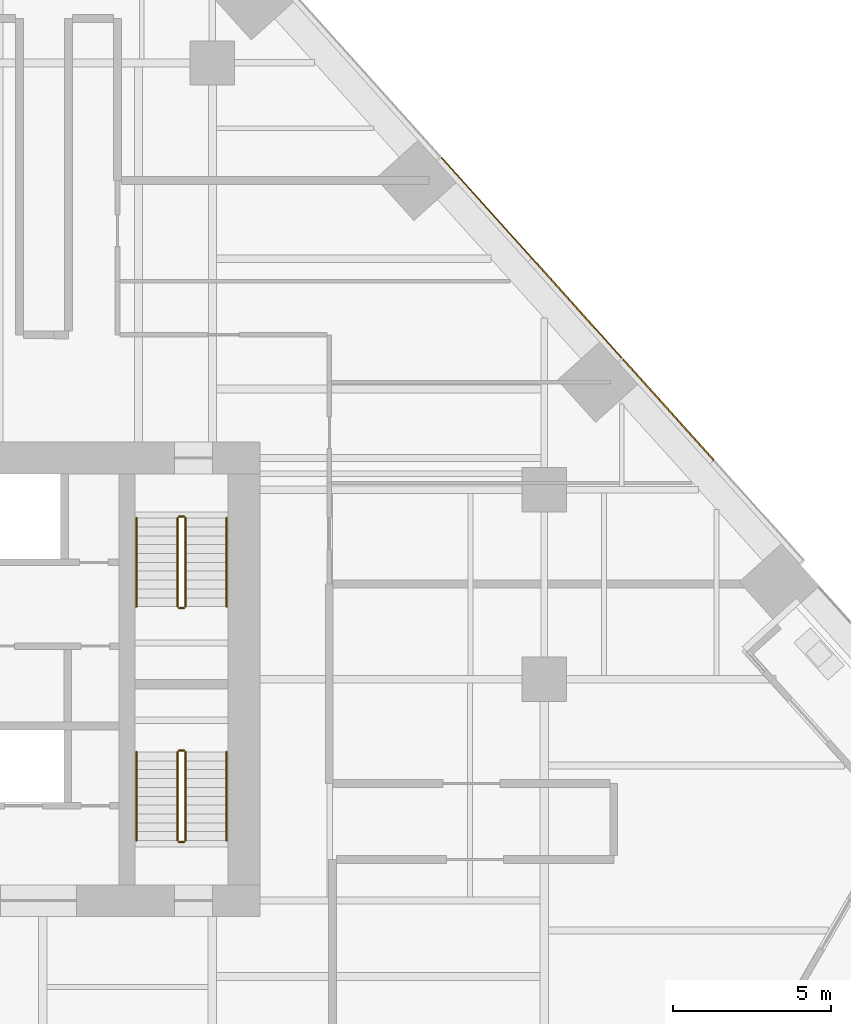
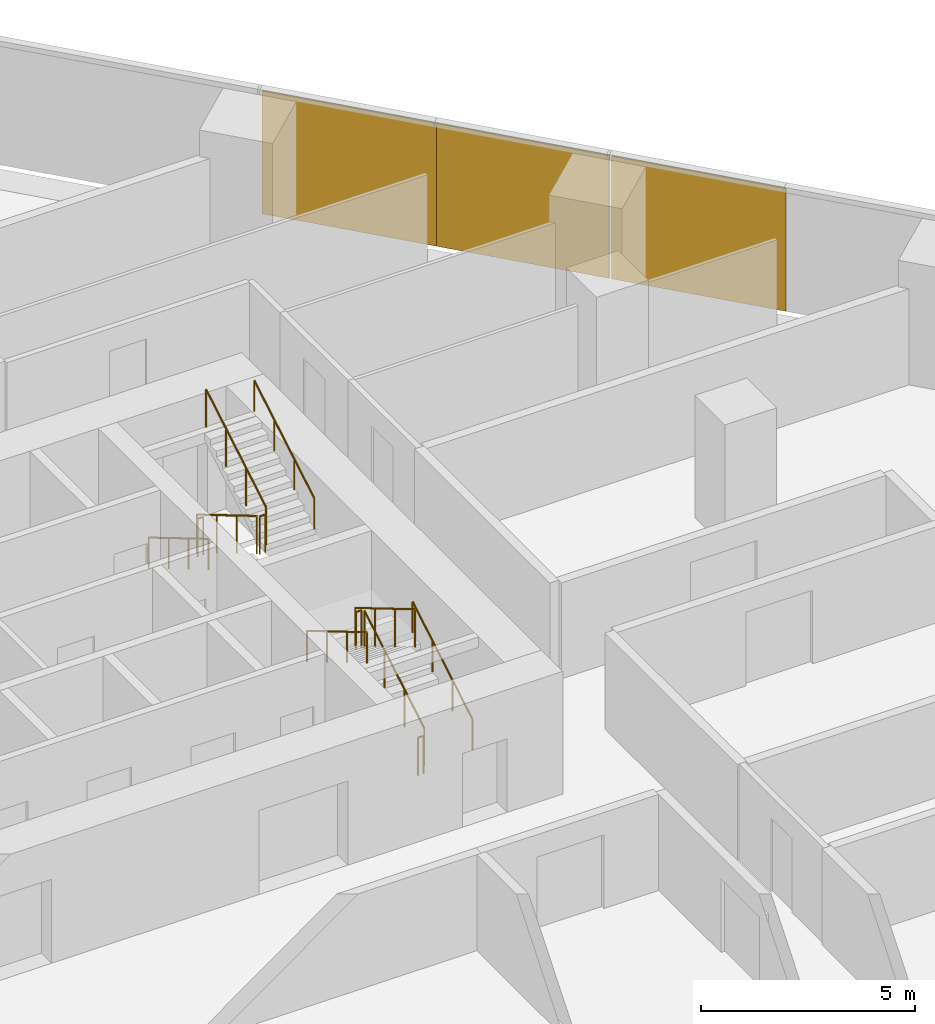
# One storey, part 29 of 31: 12 railings, 3 coverings, 1 element without a shape of its own.
"""IFC4 building model written with IfcOpenShell, lengths in metres."""

from ifc_helpers import new_model, si_unit, direction, frame, origin, origin_2d, place, context, subcontext, project, spatial, rectangle, circle, extrude, material, layer, layer_set, type_object, element, aggregate, save


model = new_model("IFC4")

# Units and contexts
model_context = context("Model", 3, precision=1e-05, world=origin(), true_north=direction((0.0, 1.0)))
body_context = subcontext(model_context, "Body", "Model", "MODEL_VIEW")
ifc_project = project(units=[si_unit("LENGTHUNIT", "METRE"), si_unit("AREAUNIT", "SQUARE_METRE"), si_unit("VOLUMEUNIT", "CUBIC_METRE"), si_unit("PLANEANGLEUNIT", "RADIAN"), si_unit("MASSUNIT", "GRAM", prefix="KILO")], contexts=[model_context])

# Site, building, storey
site_placement = place(None, origin())
site = spatial("IfcSite", under=ifc_project, at=site_placement, CompositionType="ELEMENT")
building_placement = place(site_placement, origin())
building = spatial("IfcBuilding", under=site, at=building_placement, Name="Isthmus Gate Tower", CompositionType="ELEMENT")
storey_placement = place(building_placement, frame((0.0, 0.0, 54.25)))
storey = spatial("IfcBuildingStorey", under=building, at=storey_placement, Name="L11", CompositionType="ELEMENT", Elevation=54.25)

# Curtain wall, coverings
ifc_material_1 = material(Name="Aluminium, pale champagne anodised", Category="aluminium")
ifc_layer_1 = layer(ifc_material_1, 0.199951171875)
ifc_layer_set_1 = layer_set([ifc_layer_1], Name="CW-1 UNITISED CURTAIN WALL 200 DEEP")
curtain_wall_type = type_object("IfcCurtainWallType", Name="CW-1 UNITISED CURTAIN WALL 200 DEEP", PredefinedType="NOTDEFINED", material=ifc_layer_set_1)
curtain_wall_placement = place(storey_placement, origin())
curtain_wall = element("IfcCurtainWall", 1, at=curtain_wall_placement, inside=storey, type_object=curtain_wall_type, Name="CW-1 NE L11", PredefinedType="NOTDEFINED")
ifc_material_2 = material(Name="Aluminium composite panel, pale champagne anodised", Category="aluminium")
ifc_layer_2 = layer(ifc_material_2, 0.0400390625)
ifc_layer_set_2 = layer_set([ifc_layer_2], Name="CW-1 PALE METAL PANEL 40")
covering_type = type_object("IfcCoveringType", Name="CW-1 PALE METAL PANEL 40", PredefinedType="CLADDING", material=ifc_layer_set_2)
covering_1_placement = place(storey_placement, frame((27.930419921875, 16.02734375, 0.0), z_axis=(0.0, 0.0, 1.0), x_axis=(-0.669130606359, 0.743144825477, 0.0)))
covering_1 = element("IfcCovering", 2, at=covering_1_placement, type_object=covering_type, Name="CW-1 pale metal panel", PredefinedType="CLADDING", context=body_context, shape_type="SweptSolid", body=[
    extrude(rectangle(XDim=4.294677734375, YDim=0.0400390625, at=origin_2d()), origin(), (0.0, 0.0, 1.0), 3.5),
])
covering_2_placement = place(storey_placement, frame((25.03662109375, 19.2412109375, 0.0), z_axis=(0.0, 0.0, 1.0), x_axis=(-0.669130606359, 0.743144825477, 0.0)))
covering_2 = element("IfcCovering", 3, at=covering_2_placement, type_object=covering_type, Name="CW-1 pale metal panel", PredefinedType="CLADDING", context=body_context, shape_type="SweptSolid", body=[
    extrude(rectangle(XDim=4.234619140625, YDim=0.0400390625, at=origin_2d()), origin(), (0.0, 0.0, 1.0), 3.5),
])
covering_3_placement = place(storey_placement, frame((22.18310546875, 22.410400390625, 0.0), z_axis=(0.0, 0.0, 1.0), x_axis=(-0.669130606359, 0.743144825477, 0.0)))
covering_3 = element("IfcCovering", 4, at=covering_3_placement, type_object=covering_type, Name="CW-1 pale metal panel", PredefinedType="CLADDING", context=body_context, shape_type="SweptSolid", body=[
    extrude(rectangle(XDim=4.294677734375, YDim=0.0400390625, at=origin_2d()), origin(), (0.0, 0.0, 1.0), 3.5),
])
aggregate(curtain_wall, [covering_1, covering_2, covering_3])

# Railings
ifc_material_3 = material(Name="Stainless steel balustrade", Category="steel")
railing_type_1 = type_object("IfcRailingType", Name="STAIR GUARD 1100", PredefinedType="GUARDRAIL", material=ifc_material_3)
railing_1_placement = place(storey_placement, frame((12.39990234375, 12.60009765625, 0.166015625)))
element("IfcRailing", 5, at=railing_1_placement, inside=storey, type_object=railing_type_1, Name="L11 ST2 stair guard 1", PredefinedType="GUARDRAIL", context=body_context, shape_type="SweptSolid", body=[
    extrude(circle(Radius=0.02392578125, at=origin_2d()), frame((0.0, 0.0, 1.076171875), z_axis=(0.0, -0.860339051648, 0.50972219513), x_axis=(1.0, 0.0, 0.0)), (0.0, 0.0, 1.0), 3.254638671875),
    extrude(circle(Radius=0.02099609375, at=origin_2d()), origin(), (0.0, 0.0, 1.0), 1.052001953125),
    extrude(circle(Radius=0.02099609375, at=origin_2d()), frame((0.0, -0.933349609375, 0.552978515625)), (0.0, 0.0, 1.0), 1.052001953125),
    extrude(circle(Radius=0.02099609375, at=origin_2d()), frame((0.0, -1.86669921875, 1.10595703125)), (0.0, 0.0, 1.0), 1.052001953125),
    extrude(circle(Radius=0.02099609375, at=origin_2d()), frame((0.0, -2.800048828125, 1.658935546875)), (0.0, 0.0, 1.0), 1.052001953125),
])
railing_2_placement = place(storey_placement, frame((12.449951171875, 9.75, 1.824951171875)))
element("IfcRailing", 6, at=railing_2_placement, inside=storey, type_object=railing_type_1, Name="L11 ST2 stair guard 2", PredefinedType="GUARDRAIL", context=body_context, shape_type="SweptSolid", body=[
    extrude(circle(Radius=0.02392578125, at=origin_2d()), frame((0.0, 0.0, 1.076171875), z_axis=(1.0, 0.0, 0.0), x_axis=(0.0, 1.0, 0.0)), (0.0, 0.0, 1.0), 0.150146484375),
    extrude(circle(Radius=0.02099609375, at=origin_2d()), origin(), (0.0, 0.0, 1.0), 1.052001953125),
    extrude(circle(Radius=0.02099609375, at=origin_2d()), frame((0.150146484375, 0.0, 0.0)), (0.0, 0.0, 1.0), 1.052001953125),
])
railing_3_placement = place(storey_placement, frame((12.64990234375, 9.800048828125, 1.990966796875)))
element("IfcRailing", 7, at=railing_3_placement, inside=storey, type_object=railing_type_1, Name="L11 ST2 stair guard 3", PredefinedType="GUARDRAIL", context=body_context, shape_type="SweptSolid", body=[
    extrude(circle(Radius=0.02392578125, at=origin_2d()), frame((0.0, 0.0, 1.076171875), z_axis=(0.0, 0.860339051648, 0.50972219513), x_axis=(-1.0, 0.0, 0.0)), (0.0, 0.0, 1.0), 3.254638671875),
    extrude(circle(Radius=0.02099609375, at=origin_2d()), origin(), (0.0, 0.0, 1.0), 1.052001953125),
    extrude(circle(Radius=0.02099609375, at=origin_2d()), frame((0.0, 0.933349609375, 0.552978515625)), (0.0, 0.0, 1.0), 1.052001953125),
    extrude(circle(Radius=0.02099609375, at=origin_2d()), frame((0.0, 1.86669921875, 1.10595703125)), (0.0, 0.0, 1.0), 1.052001953125),
    extrude(circle(Radius=0.02099609375, at=origin_2d()), frame((0.0, 2.800048828125, 1.658935546875)), (0.0, 0.0, 1.0), 1.052001953125),
])
railing_4_placement = place(storey_placement, frame((12.449951171875, 12.64990234375, 0.0)))
element("IfcRailing", 8, at=railing_4_placement, inside=storey, type_object=railing_type_1, Name="L11 ST2 stair guard 4", PredefinedType="GUARDRAIL", context=body_context, shape_type="SweptSolid", body=[
    extrude(circle(Radius=0.02392578125, at=origin_2d()), frame((0.0, 0.0, 1.076171875), z_axis=(1.0, 0.0, 0.0), x_axis=(0.0, 1.0, 0.0)), (0.0, 0.0, 1.0), 0.150146484375),
    extrude(circle(Radius=0.02099609375, at=origin_2d()), origin(), (0.0, 0.0, 1.0), 1.052001953125),
    extrude(circle(Radius=0.02099609375, at=origin_2d()), frame((0.150146484375, 0.0, 0.0)), (0.0, 0.0, 1.0), 1.052001953125),
])
railing_5_placement = place(storey_placement, frame((12.64990234375, 2.39990234375, 0.166015625)))
element("IfcRailing", 9, at=railing_5_placement, inside=storey, type_object=railing_type_1, Name="L11 ST8 stair guard 1", PredefinedType="GUARDRAIL", context=body_context, shape_type="SweptSolid", body=[
    extrude(circle(Radius=0.02392578125, at=origin_2d()), frame((0.0, 0.0, 1.076171875), z_axis=(0.0, 0.860339051648, 0.50972219513), x_axis=(-1.0, 0.0, 0.0)), (0.0, 0.0, 1.0), 3.254638671875),
    extrude(circle(Radius=0.02099609375, at=origin_2d()), origin(), (0.0, 0.0, 1.0), 1.052001953125),
    extrude(circle(Radius=0.02099609375, at=origin_2d()), frame((0.0, 0.933349609375, 0.552978515625)), (0.0, 0.0, 1.0), 1.052001953125),
    extrude(circle(Radius=0.02099609375, at=origin_2d()), frame((0.0, 1.86669921875, 1.10595703125)), (0.0, 0.0, 1.0), 1.052001953125),
    extrude(circle(Radius=0.02099609375, at=origin_2d()), frame((0.0, 2.800048828125, 1.658935546875)), (0.0, 0.0, 1.0), 1.052001953125),
])
railing_6_placement = place(storey_placement, frame((12.60009765625, 5.25, 1.824951171875)))
element("IfcRailing", 10, at=railing_6_placement, inside=storey, type_object=railing_type_1, Name="L11 ST8 stair guard 2", PredefinedType="GUARDRAIL", context=body_context, shape_type="SweptSolid", body=[
    extrude(circle(Radius=0.02392578125, at=origin_2d()), frame((0.0, 0.0, 1.076171875), z_axis=(-1.0, 0.0, 0.0), x_axis=(0.0, -1.0, 0.0)), (0.0, 0.0, 1.0), 0.150146484375),
    extrude(circle(Radius=0.02099609375, at=origin_2d()), origin(), (0.0, 0.0, 1.0), 1.052001953125),
    extrude(circle(Radius=0.02099609375, at=origin_2d()), frame((-0.150146484375, 0.0, 0.0)), (0.0, 0.0, 1.0), 1.052001953125),
])
railing_7_placement = place(storey_placement, frame((12.39990234375, 5.199951171875, 1.990966796875)))
element("IfcRailing", 11, at=railing_7_placement, inside=storey, type_object=railing_type_1, Name="L11 ST8 stair guard 3", PredefinedType="GUARDRAIL", context=body_context, shape_type="SweptSolid", body=[
    extrude(circle(Radius=0.02392578125, at=origin_2d()), frame((0.0, 0.0, 1.076171875), z_axis=(0.0, -0.860339051648, 0.50972219513), x_axis=(1.0, 0.0, 0.0)), (0.0, 0.0, 1.0), 3.254638671875),
    extrude(circle(Radius=0.02099609375, at=origin_2d()), origin(), (0.0, 0.0, 1.0), 1.052001953125),
    extrude(circle(Radius=0.02099609375, at=origin_2d()), frame((0.0, -0.933349609375, 0.552978515625)), (0.0, 0.0, 1.0), 1.052001953125),
    extrude(circle(Radius=0.02099609375, at=origin_2d()), frame((0.0, -1.86669921875, 1.10595703125)), (0.0, 0.0, 1.0), 1.052001953125),
    extrude(circle(Radius=0.02099609375, at=origin_2d()), frame((0.0, -2.800048828125, 1.658935546875)), (0.0, 0.0, 1.0), 1.052001953125),
])
railing_8_placement = place(storey_placement, frame((12.60009765625, 2.35009765625, 0.0)))
element("IfcRailing", 12, at=railing_8_placement, inside=storey, type_object=railing_type_1, Name="L11 ST8 stair guard 4", PredefinedType="GUARDRAIL", context=body_context, shape_type="SweptSolid", body=[
    extrude(circle(Radius=0.02392578125, at=origin_2d()), frame((0.0, 0.0, 1.076171875), z_axis=(-1.0, 0.0, 0.0), x_axis=(0.0, -1.0, 0.0)), (0.0, 0.0, 1.0), 0.150146484375),
    extrude(circle(Radius=0.02099609375, at=origin_2d()), origin(), (0.0, 0.0, 1.0), 1.052001953125),
    extrude(circle(Radius=0.02099609375, at=origin_2d()), frame((-0.150146484375, 0.0, 0.0)), (0.0, 0.0, 1.0), 1.052001953125),
])
ifc_material_4 = material(Name="Stainless steel handrail", Category="steel")
railing_type_2 = type_object("IfcRailingType", Name="STAIR HANDRAIL 900", PredefinedType="HANDRAIL", material=ifc_material_4)
railing_9_placement = place(storey_placement, frame((11.10009765625, 12.60009765625, 0.166015625)))
element("IfcRailing", 13, at=railing_9_placement, inside=storey, type_object=railing_type_2, Name="L11 ST2 stair handrail 1", PredefinedType="HANDRAIL", context=body_context, shape_type="SweptSolid", body=[
    extrude(circle(Radius=0.02392578125, at=origin_2d()), frame((0.0, 0.0, 0.8759765625), z_axis=(0.0, -0.860339051648, 0.50972219513), x_axis=(1.0, 0.0, 0.0)), (0.0, 0.0, 1.0), 3.254638671875),
    extrude(circle(Radius=0.02099609375, at=origin_2d()), origin(), (0.0, 0.0, 1.0), 0.851806640625),
    extrude(circle(Radius=0.02099609375, at=origin_2d()), frame((0.0, -0.933349609375, 0.552978515625)), (0.0, 0.0, 1.0), 0.851806640625),
    extrude(circle(Radius=0.02099609375, at=origin_2d()), frame((0.0, -1.86669921875, 1.10595703125)), (0.0, 0.0, 1.0), 0.851806640625),
    extrude(circle(Radius=0.02099609375, at=origin_2d()), frame((0.0, -2.800048828125, 1.658935546875)), (0.0, 0.0, 1.0), 0.851806640625),
])
for number, where, name in (
    (14, (13.949951171875, 9.800048828125, 1.990966796875), "L11 ST2 stair handrail 2"),
    (15, (13.949951171875, 2.39990234375, 0.166015625), "L11 ST8 stair handrail 1"),
):
    element("IfcRailing", number, at=place(storey_placement, frame(where)), inside=storey, type_object=railing_type_2, Name=name, PredefinedType="HANDRAIL", context=body_context, shape_type="SweptSolid", body=[
        extrude(circle(Radius=0.02392578125, at=origin_2d()), frame((0.0, 0.0, 0.8759765625), z_axis=(0.0, 0.860339051648, 0.50972219513), x_axis=(-1.0, 0.0, 0.0)), (0.0, 0.0, 1.0), 3.254638671875),
        extrude(circle(Radius=0.02099609375, at=origin_2d()), origin(), (0.0, 0.0, 1.0), 0.851806640625),
        extrude(circle(Radius=0.02099609375, at=origin_2d()), frame((0.0, 0.933349609375, 0.552978515625)), (0.0, 0.0, 1.0), 0.851806640625),
        extrude(circle(Radius=0.02099609375, at=origin_2d()), frame((0.0, 1.86669921875, 1.10595703125)), (0.0, 0.0, 1.0), 0.851806640625),
        extrude(circle(Radius=0.02099609375, at=origin_2d()), frame((0.0, 2.800048828125, 1.658935546875)), (0.0, 0.0, 1.0), 0.851806640625),
    ])
railing_10_placement = place(storey_placement, frame((11.10009765625, 5.199951171875, 1.990966796875)))
element("IfcRailing", 16, at=railing_10_placement, inside=storey, type_object=railing_type_2, Name="L11 ST8 stair handrail 2", PredefinedType="HANDRAIL", context=body_context, shape_type="SweptSolid", body=[
    extrude(circle(Radius=0.02392578125, at=origin_2d()), frame((0.0, 0.0, 0.8759765625), z_axis=(0.0, -0.860339051648, 0.50972219513), x_axis=(1.0, 0.0, 0.0)), (0.0, 0.0, 1.0), 3.254638671875),
    extrude(circle(Radius=0.02099609375, at=origin_2d()), origin(), (0.0, 0.0, 1.0), 0.851806640625),
    extrude(circle(Radius=0.02099609375, at=origin_2d()), frame((0.0, -0.933349609375, 0.552978515625)), (0.0, 0.0, 1.0), 0.851806640625),
    extrude(circle(Radius=0.02099609375, at=origin_2d()), frame((0.0, -1.86669921875, 1.10595703125)), (0.0, 0.0, 1.0), 0.851806640625),
    extrude(circle(Radius=0.02099609375, at=origin_2d()), frame((0.0, -2.800048828125, 1.658935546875)), (0.0, 0.0, 1.0), 0.851806640625),
])

save(model, "model.ifc")
